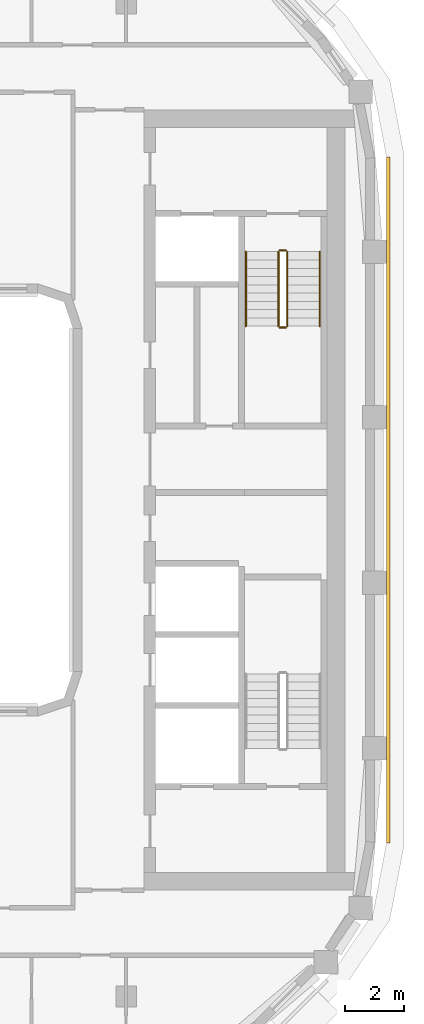
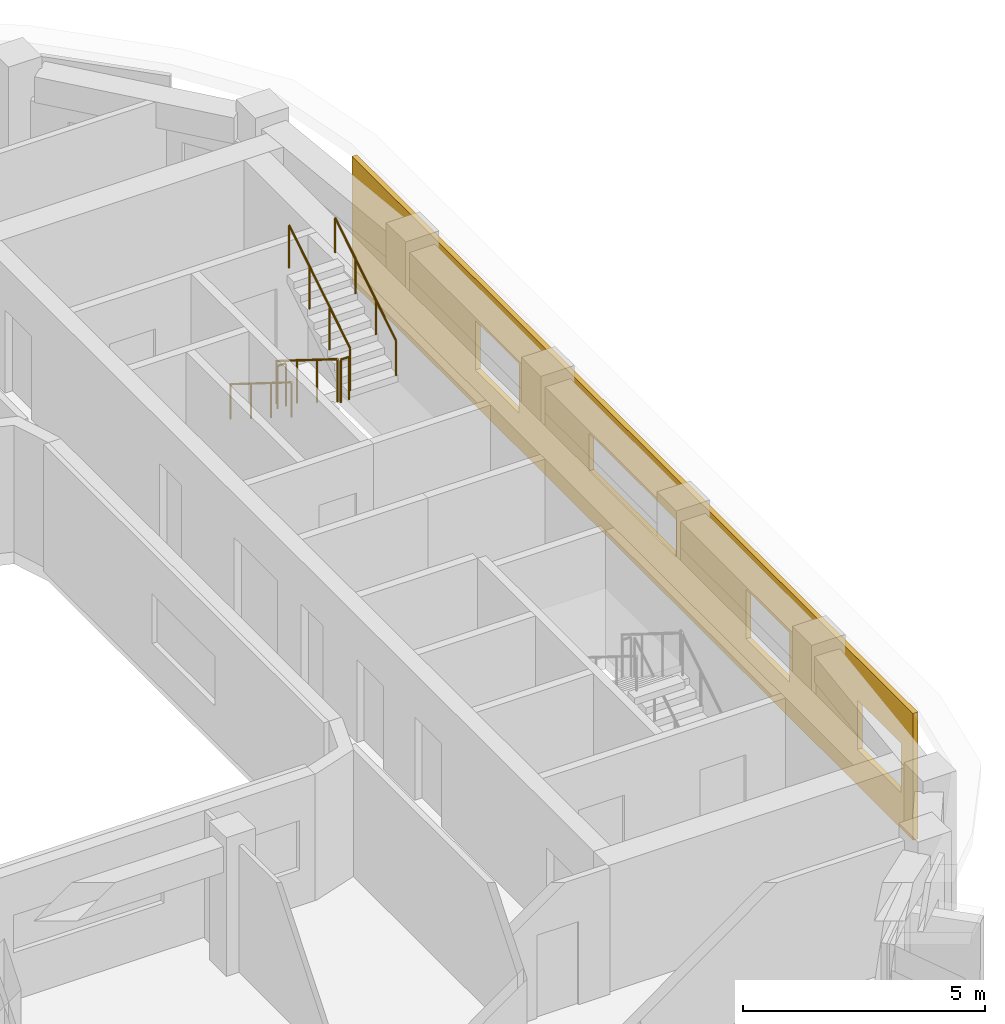
# One storey, part 14 of 15: 6 railings, 1 covering.
"""IFC4 building model written with IfcOpenShell, lengths in metres."""

from ifc_helpers import new_model, si_unit, direction, frame, origin, origin_2d, place, context, subcontext, project, spatial, polyline, circle, outline, extrude, material, layer, layer_set, type_object, element, save


model = new_model("IFC4")

# Units and contexts
model_context = context("Model", 3, precision=1e-05, world=origin(), true_north=direction((0.0, 1.0)))
body_context = subcontext(model_context, "Body", "Model", "MODEL_VIEW")
ifc_project = project(units=[si_unit("LENGTHUNIT", "METRE"), si_unit("AREAUNIT", "SQUARE_METRE"), si_unit("VOLUMEUNIT", "CUBIC_METRE"), si_unit("PLANEANGLEUNIT", "RADIAN"), si_unit("MASSUNIT", "GRAM", prefix="KILO")], contexts=[model_context])

# Site, building, storey
site_placement = place(None, origin())
site = spatial("IfcSite", under=ifc_project, at=site_placement, CompositionType="ELEMENT")
building_placement = place(site_placement, origin())
building = spatial("IfcBuilding", under=site, at=building_placement, Name="Kiln Ring Residences", CompositionType="ELEMENT")
storey_placement = place(building_placement, frame((0.0, 0.0, 248.699951171875)))
storey = spatial("IfcBuildingStorey", under=building, at=storey_placement, Name="L64", CompositionType="ELEMENT", Elevation=248.699951171875)

# Railings
ifc_material_1 = material(Name="Stainless steel", Category="steel")
railing_type_1 = type_object("IfcRailingType", Name="CORE-STAIR-GUARD", PredefinedType="GUARDRAIL", material=ifc_material_1)
railing_1_placement = place(storey_placement, frame((21.949951171875, 8.39990234375, 0.175048828125)))
element("IfcRailing", 1, at=railing_1_placement, inside=storey, type_object=railing_type_1, Name="L64 E-STN stair guard 1", PredefinedType="GUARDRAIL", context=body_context, shape_type="SweptSolid", body=[
    extrude(circle(Radius=0.02392578125, at=origin_2d()), frame((0.0, 0.0, 1.076171875), z_axis=(0.0, -0.848007534815, 0.529984170421), x_axis=(1.0, 0.0, 0.0)), (0.0, 0.0, 1.0), 2.9716796875),
    extrude(circle(Radius=0.02099609375, at=origin_2d()), origin(), (0.0, 0.0, 1.0), 1.052001953125),
    extrude(circle(Radius=0.02099609375, at=origin_2d()), frame((0.0, -0.840087890625, 0.52490234375)), (0.0, 0.0, 1.0), 1.052001953125),
    extrude(circle(Radius=0.02099609375, at=origin_2d()), frame((0.0, -1.679931640625, 1.050048828125)), (0.0, 0.0, 1.0), 1.052001953125),
    extrude(circle(Radius=0.02099609375, at=origin_2d()), frame((0.0, -2.52001953125, 1.574951171875)), (0.0, 0.0, 1.0), 1.052001953125),
])
railing_2_placement = place(storey_placement, frame((22.0, 5.830078125, 1.75)))
element("IfcRailing", 2, at=railing_2_placement, inside=storey, type_object=railing_type_1, Name="L64 E-STN stair guard 2", PredefinedType="GUARDRAIL", context=body_context, shape_type="SweptSolid", body=[
    extrude(circle(Radius=0.02392578125, at=origin_2d()), frame((0.0, 0.0, 1.076171875), z_axis=(1.0, 0.0, 0.0), x_axis=(0.0, 1.0, 0.0)), (0.0, 0.0, 1.0), 0.199951171875),
    extrude(circle(Radius=0.02099609375, at=origin_2d()), origin(), (0.0, 0.0, 1.0), 1.052001953125),
    extrude(circle(Radius=0.02099609375, at=origin_2d()), frame((0.199951171875, 0.0, 0.0)), (0.0, 0.0, 1.0), 1.052001953125),
])
railing_3_placement = place(storey_placement, frame((22.25, 5.8798828125, 1.925048828125)))
element("IfcRailing", 3, at=railing_3_placement, inside=storey, type_object=railing_type_1, Name="L64 E-STN stair guard 3", PredefinedType="GUARDRAIL", context=body_context, shape_type="SweptSolid", body=[
    extrude(circle(Radius=0.02392578125, at=origin_2d()), frame((0.0, 0.0, 1.076171875), z_axis=(0.0, 0.848007534815, 0.529984170421), x_axis=(-1.0, 0.0, 0.0)), (0.0, 0.0, 1.0), 2.9716796875),
    extrude(circle(Radius=0.02099609375, at=origin_2d()), origin(), (0.0, 0.0, 1.0), 1.052001953125),
    extrude(circle(Radius=0.02099609375, at=origin_2d()), frame((0.0, 0.840087890625, 0.52490234375)), (0.0, 0.0, 1.0), 1.052001953125),
    extrude(circle(Radius=0.02099609375, at=origin_2d()), frame((0.0, 1.679931640625, 1.050048828125)), (0.0, 0.0, 1.0), 1.052001953125),
    extrude(circle(Radius=0.02099609375, at=origin_2d()), frame((0.0, 2.52001953125, 1.574951171875)), (0.0, 0.0, 1.0), 1.052001953125),
])
railing_4_placement = place(storey_placement, frame((22.0, 8.449951171875, 0.0)))
element("IfcRailing", 4, at=railing_4_placement, inside=storey, type_object=railing_type_1, Name="L64 E-STN stair guard 4", PredefinedType="GUARDRAIL", context=body_context, shape_type="SweptSolid", body=[
    extrude(circle(Radius=0.02392578125, at=origin_2d()), frame((0.0, 0.0, 1.076171875), z_axis=(1.0, 0.0, 0.0), x_axis=(0.0, 1.0, 0.0)), (0.0, 0.0, 1.0), 0.199951171875),
    extrude(circle(Radius=0.02099609375, at=origin_2d()), origin(), (0.0, 0.0, 1.0), 1.052001953125),
    extrude(circle(Radius=0.02099609375, at=origin_2d()), frame((0.199951171875, 0.0, 0.0)), (0.0, 0.0, 1.0), 1.052001953125),
])
ifc_material_2 = material(Name="Stainless steel", Category="steel")
railing_type_2 = type_object("IfcRailingType", Name="CORE-STAIR-HANDRAIL", PredefinedType="HANDRAIL", material=ifc_material_2)
railing_5_placement = place(storey_placement, frame((20.85009765625, 8.39990234375, 0.175048828125)))
element("IfcRailing", 5, at=railing_5_placement, inside=storey, type_object=railing_type_2, Name="L64 E-STN stair handrail 1", PredefinedType="HANDRAIL", context=body_context, shape_type="SweptSolid", body=[
    extrude(circle(Radius=0.02392578125, at=origin_2d()), frame((0.0, 0.0, 0.8759765625), z_axis=(0.0, -0.848007534815, 0.529984170421), x_axis=(1.0, 0.0, 0.0)), (0.0, 0.0, 1.0), 2.9716796875),
    extrude(circle(Radius=0.02099609375, at=origin_2d()), origin(), (0.0, 0.0, 1.0), 0.851806640625),
    extrude(circle(Radius=0.02099609375, at=origin_2d()), frame((0.0, -0.840087890625, 0.52490234375)), (0.0, 0.0, 1.0), 0.851806640625),
    extrude(circle(Radius=0.02099609375, at=origin_2d()), frame((0.0, -1.679931640625, 1.050048828125)), (0.0, 0.0, 1.0), 0.851806640625),
    extrude(circle(Radius=0.02099609375, at=origin_2d()), frame((0.0, -2.52001953125, 1.574951171875)), (0.0, 0.0, 1.0), 0.851806640625),
])
railing_6_placement = place(storey_placement, frame((23.35009765625, 5.8798828125, 1.925048828125)))
element("IfcRailing", 6, at=railing_6_placement, inside=storey, type_object=railing_type_2, Name="L64 E-STN stair handrail 2", PredefinedType="HANDRAIL", context=body_context, shape_type="SweptSolid", body=[
    extrude(circle(Radius=0.02392578125, at=origin_2d()), frame((0.0, 0.0, 0.8759765625), z_axis=(0.0, 0.848007534815, 0.529984170421), x_axis=(-1.0, 0.0, 0.0)), (0.0, 0.0, 1.0), 2.9716796875),
    extrude(circle(Radius=0.02099609375, at=origin_2d()), origin(), (0.0, 0.0, 1.0), 0.851806640625),
    extrude(circle(Radius=0.02099609375, at=origin_2d()), frame((0.0, 0.840087890625, 0.52490234375)), (0.0, 0.0, 1.0), 0.851806640625),
    extrude(circle(Radius=0.02099609375, at=origin_2d()), frame((0.0, 1.679931640625, 1.050048828125)), (0.0, 0.0, 1.0), 0.851806640625),
    extrude(circle(Radius=0.02099609375, at=origin_2d()), frame((0.0, 2.52001953125, 1.574951171875)), (0.0, 0.0, 1.0), 0.851806640625),
])

# Covering
ifc_material_3 = material(Name="Brick masonry, dark clay brick", Category="masonry")
ifc_layer = layer(ifc_material_3, 0.1201171875)
ifc_layer_set = layer_set([ifc_layer], Name="RAINSCREEN PANEL 120")
covering_type = type_object("IfcCoveringType", Name="RAINSCREEN PANEL 120", PredefinedType="CLADDING", material=ifc_layer_set)
covering_placement = place(storey_placement, frame((25.659912109375, -11.60009765625, 0.0), z_axis=(0.0, 0.0, 1.0), x_axis=(0.0, 1.0, 0.0)))
element("IfcCovering", 7, at=covering_placement, inside=storey, type_object=covering_type, Name="RAINSCREEN L64", PredefinedType="CLADDING", context=body_context, shape_type="SweptSolid", body=[
    extrude(outline(polyline([(0.0, 0.0), (23.199951171875, 0.0), (23.199951171875, 3.199951171875), (0.0, 3.199951171875), (0.0, 0.0)]), holes=[polyline([(2.300048828125, 0.900146484375), (2.300048828125, 2.150146484375), (0.5, 2.150146484375), (0.5, 0.900146484375), (2.300048828125, 0.900146484375)]), polyline([(6.89990234375, 0.900146484375), (6.89990234375, 2.150146484375), (5.10009765625, 2.150146484375), (5.10009765625, 0.900146484375), (6.89990234375, 0.900146484375)]), polyline([(18.10009765625, 0.900146484375), (18.10009765625, 2.150146484375), (16.300048828125, 2.150146484375), (16.300048828125, 0.900146484375), (18.10009765625, 0.900146484375)]), polyline([(13.39990234375, 1.199951171875), (13.39990234375, 2.150146484375), (9.800048828125, 2.150146484375), (9.800048828125, 1.199951171875), (13.39990234375, 1.199951171875)])]), frame((0.0, 0.06005859375, 0.0), z_axis=(0.0, -1.0, 0.0), x_axis=(1.0, 0.0, 0.0)), (0.0, 0.0, 1.0), 0.1201171875),
])

save(model, "model.ifc")
